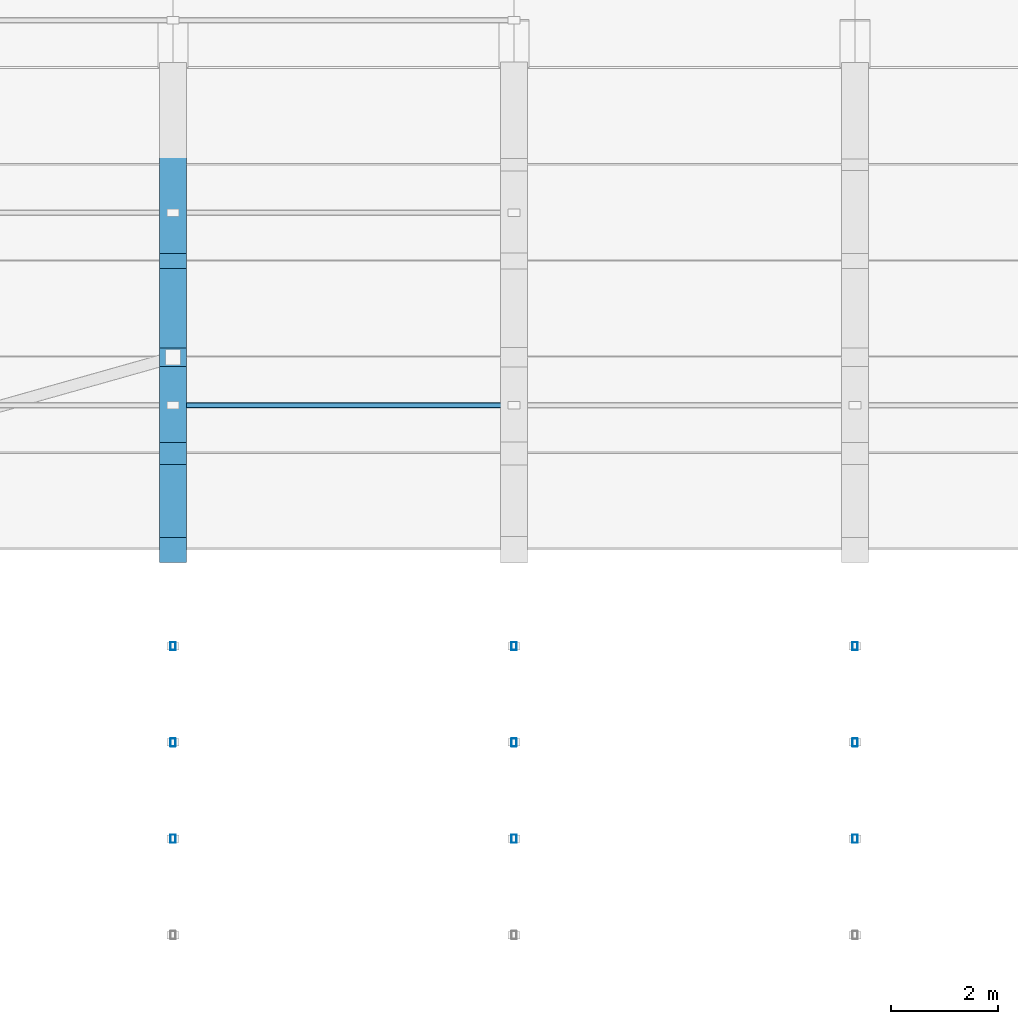
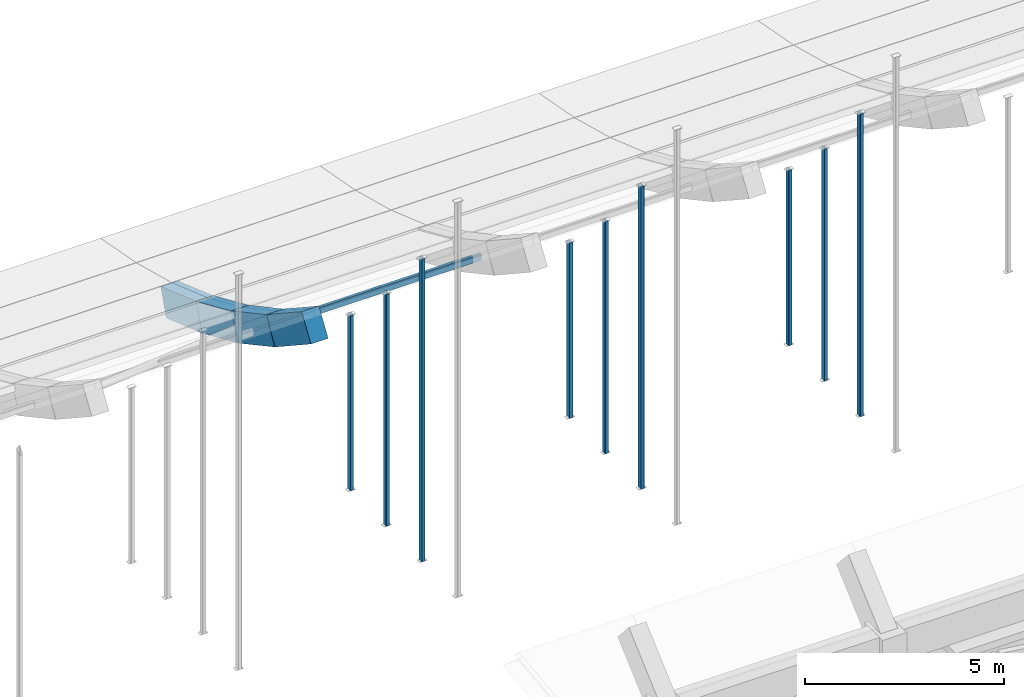
# One storey, part 29 of 77: 14 members.
"""IFC4 building model written with IfcOpenShell, lengths in metres."""

import ifcopenshell
import ifcopenshell.guid

model = None  # the IFC model being written
_history = None  # IfcOwnerHistory: only IFC2X3 demands one
_inside = {}  # id of a spatial element -> (the spatial element, [elements in it])
_under = {}  # id of a project, library or spatial element -> (it, [spatial elements below it])
_declared = {}  # id of a project -> (the project, [libraries it declares])
_typed = {}  # id of a type object -> (the type object, [elements of that type])
_made_of = {}  # id of a material, layer set ... -> (it, [elements and type objects made of it])


def new_model(schema):
    """Start an empty IFC model of exactly this schema.

    Asked for "IFC4X3", IfcOpenShell would pick the latest addendum, in which some entities
    have other attributes; the version numbers below select the first issue.
    IFC2X3 requires an IfcOwnerHistory on every rooted entity: one is made here for all.
    """
    global model, _history
    if schema == "IFC4X3":
        model = ifcopenshell.file(schema_version=(4, 3, 0, 0))
    else:
        model = ifcopenshell.file(schema=schema)
    _inside.clear()
    _under.clear()
    _declared.clear()
    _typed.clear()
    _made_of.clear()
    _history = None
    if model.schema == "IFC2X3":
        org = make("IfcOrganization", Name="unknown")
        user = make(
            "IfcPersonAndOrganization",
            ThePerson=make("IfcPerson", FamilyName="unknown"),
            TheOrganization=org,
        )
        app = make(
            "IfcApplication",
            ApplicationDeveloper=org,
            Version="unknown",
            ApplicationFullName="unknown",
            ApplicationIdentifier="unknown",
        )
        _history = make(
            "IfcOwnerHistory",
            OwningUser=user,
            OwningApplication=app,
            ChangeAction="ADDED",
            CreationDate=0,
        )
    return model


def make(cls, **values):
    """One entity of the class cls with the attributes given. An attribute that is None is left unset."""
    return model.create_entity(
        cls, **{name: value for name, value in values.items() if value is not None}
    )


def rooted(cls, **values):
    """An entity with a GlobalId (a new one), such as an element, a storey or a relation."""
    return make(cls, GlobalId=ifcopenshell.guid.new(), OwnerHistory=_history, **values)


def si_unit(unit_type, name, prefix=None):
    """IfcSIUnit, for example si_unit("LENGTHUNIT", "METRE", prefix="MILLI")."""
    return make("IfcSIUnit", UnitType=unit_type, Prefix=prefix, Name=name)


def assignment(units):
    """IfcUnitAssignment: the units of a project."""
    return None if units is None else make("IfcUnitAssignment", Units=units)


def point(xyz):
    """IfcCartesianPoint."""
    return None if xyz is None else make("IfcCartesianPoint", Coordinates=xyz)


def direction(xyz):
    """IfcDirection."""
    return None if xyz is None else make("IfcDirection", DirectionRatios=xyz)


def frame(location, z_axis=None, x_axis=None):
    """IfcAxis2Placement3D, a coordinate frame: its origin and axes. An axis left out is left unset."""
    return make(
        "IfcAxis2Placement3D",
        Location=point(location),
        Axis=direction(z_axis),
        RefDirection=direction(x_axis),
    )


def frame_2d(location, x_axis=None):
    """IfcAxis2Placement2D, a coordinate frame in the plane: its origin and x axis."""
    return make(
        "IfcAxis2Placement2D", Location=point(location), RefDirection=direction(x_axis)
    )


def origin():
    """The frame at (0, 0, 0) with its axes left unset."""
    return frame((0.0, 0.0, 0.0))


def origin_2d():
    """The frame at (0, 0) in the plane with its x axis left unset."""
    return frame_2d((0.0, 0.0))


def place(relative_to, where):
    """IfcLocalPlacement: puts the frame where relative to a parent placement (None: the world)."""
    return make(
        "IfcLocalPlacement", PlacementRelTo=relative_to, RelativePlacement=where
    )


def context(
    kind, dimensions, precision=None, world=None, true_north=None, identifier=None
):
    """IfcGeometricRepresentationContext, for example the 3D "Model" context."""
    return make(
        "IfcGeometricRepresentationContext",
        ContextIdentifier=identifier,
        ContextType=kind,
        CoordinateSpaceDimension=dimensions,
        Precision=precision,
        WorldCoordinateSystem=world,
        TrueNorth=true_north,
    )


def subcontext(parent, identifier, kind, view, scale=None):
    """IfcGeometricRepresentationSubContext, for example "Body" below "Model"."""
    return make(
        "IfcGeometricRepresentationSubContext",
        ContextIdentifier=identifier,
        ContextType=kind,
        ParentContext=parent,
        TargetScale=scale,
        TargetView=view,
    )


def project(units=None, contexts=None):
    """IfcProject with its units and contexts."""
    return rooted(
        "IfcProject",
        Name="project",
        RepresentationContexts=contexts,
        UnitsInContext=assignment(units),
    )


def spatial(cls, under=None, at=None, **own):
    """A site, building, storey or space (cls), placed at a placement, below another one or the project."""
    s = rooted(cls, ObjectPlacement=at, **own)
    if under is not None:
        _under.setdefault(under.id(), (under, []))[1].append(s)
    return s


def profile(cls, at=None, kind="AREA", **sizes):
    """A parametric profile (cls). Its sizes go by their IFC names, for example OverallWidth=200.0."""
    return make(cls, ProfileType=kind, Position=at, **sizes)


def rectangle(**sizes):
    """IfcRectangleProfileDef."""
    return profile("IfcRectangleProfileDef", **sizes)


def hollow_rectangle(**sizes):
    """IfcRectangleHollowProfileDef."""
    return profile("IfcRectangleHollowProfileDef", **sizes)


def extrude(swept, where, along, depth):
    """IfcExtrudedAreaSolid: the profile swept, set in the frame where, extruded along a direction by depth."""
    return make(
        "IfcExtrudedAreaSolid",
        SweptArea=swept,
        Position=where,
        ExtrudedDirection=direction(along),
        Depth=depth,
    )


def shape(context_of_items, identifier, shape_type, items):
    """IfcShapeRepresentation: the items that make up one representation, for example the "Body"."""
    return make(
        "IfcShapeRepresentation",
        ContextOfItems=context_of_items,
        RepresentationIdentifier=identifier,
        RepresentationType=shape_type,
        Items=items,
    )


def material(Name=None, Category=None):
    """IfcMaterial."""
    return make("IfcMaterial", Name=Name, Category=Category)


def material_profile(
    of_material, cross_section, Name=None, Category=None, Priority=None
):
    """IfcMaterialProfile: a cross section and its material."""
    return make(
        "IfcMaterialProfile",
        Name=Name,
        Material=of_material,
        Profile=cross_section,
        Priority=Priority,
        Category=Category,
    )


def profile_set(profiles, Name=None, composite=None):
    """IfcMaterialProfileSet."""
    return make(
        "IfcMaterialProfileSet",
        Name=Name,
        MaterialProfiles=profiles,
        CompositeProfile=composite,
    )


def made_of(thing, what):
    """Note that an element or type object is made of a material, layer set ...; save() writes the relation."""
    if what is not None:
        _made_of.setdefault(what.id(), (what, []))[1].append(thing)
    return thing


def type_object(cls, material=None, **own):
    """A type object (cls), such as IfcWallType, which elements share."""
    return made_of(rooted(cls, **own), material)


def element(
    cls,
    number,
    at=None,
    inside=None,
    cuts=None,
    type_object=None,
    material=None,
    context=None,
    identifier="Body",
    shape_type=None,
    held_by="IfcProductDefinitionShape",
    body=None,
    shapes=None,
    **own,
):
    """One element of the class cls, such as IfcWall. Its Tag is "e" and its number.

    at: its placement. inside: the storey or other place that contains it. cuts: it is an
    opening in that element (IfcRelVoidsElement). A single representation is given by context,
    identifier, shape_type and body (its items); several are given by shapes. held_by: the class
    of the entity that holds the representations. save() writes the other relations.
    """
    e = rooted(cls, Tag="e%d" % number, ObjectPlacement=at, **own)
    if body is not None:
        shapes = [shape(context, identifier, shape_type, body)]
    if shapes is not None:
        e.Representation = make(held_by, Representations=shapes)
    if inside is not None:
        _inside.setdefault(inside.id(), (inside, []))[1].append(e)
    if cuts is not None:
        rooted(
            "IfcRelVoidsElement", RelatingBuildingElement=cuts, RelatedOpeningElement=e
        )
    if type_object is not None:
        _typed.setdefault(type_object.id(), (type_object, []))[1].append(e)
    return made_of(e, material)


def aggregate(whole, parts):
    """IfcRelAggregates: a whole, such as a stair, and the parts it consists of."""
    return rooted("IfcRelAggregates", RelatingObject=whole, RelatedObjects=parts)


def save(model, path):
    """Write the relations noted so far, then the file.

    IfcRelAggregates (storeys below a building ...), IfcRelContainedInSpatialStructure (elements
    in a storey), IfcRelDefinesByType, IfcRelAssociatesMaterial and IfcRelDeclares: one each for
    every whole, place, type object, material and project.
    """
    for whole, parts in _under.values():
        aggregate(whole, parts)
    for where, things in _inside.values():
        rooted(
            "IfcRelContainedInSpatialStructure",
            RelatedElements=things,
            RelatingStructure=where,
        )
    for kind, things in _typed.values():
        rooted("IfcRelDefinesByType", RelatedObjects=things, RelatingType=kind)
    for what, things in _made_of.values():
        rooted("IfcRelAssociatesMaterial", RelatedObjects=things, RelatingMaterial=what)
    for by, libraries in _declared.values():
        rooted("IfcRelDeclares", RelatingContext=by, RelatedDefinitions=libraries)
    model.write(path)


model = new_model("IFC4")

# Units and contexts
model_context = context("Model", 3, precision=1e-05, world=origin(), true_north=direction((0.0, 1.0)))
body_context = subcontext(model_context, "Body", "Model", "MODEL_VIEW")
ifc_project = project(units=[si_unit("LENGTHUNIT", "METRE"), si_unit("AREAUNIT", "SQUARE_METRE"), si_unit("VOLUMEUNIT", "CUBIC_METRE"), si_unit("PLANEANGLEUNIT", "RADIAN"), si_unit("MASSUNIT", "GRAM", prefix="KILO")], contexts=[model_context])

# Site, building, storey
site_placement = place(None, origin())
site = spatial("IfcSite", under=ifc_project, at=site_placement, CompositionType="ELEMENT")
building_placement = place(site_placement, origin())
building = spatial("IfcBuilding", under=site, at=building_placement, Name="Trellovar Central Fire Station", CompositionType="ELEMENT")
storey_placement = place(building_placement, frame((0.0, 0.0, 5.85009765625)))
storey = spatial("IfcBuildingStorey", under=building, at=storey_placement, Name="L02", CompositionType="ELEMENT", Elevation=5.85009765625)

# Members
ifc_material_1 = material(Name="Concrete C40/50", Category="concrete")
ifc_material_profile_1 = material_profile(ifc_material_1, rectangle(XDim=0.5, YDim=0.85009765625, at=origin_2d()), Name="RC500X850")
ifc_profile_set_1 = profile_set([ifc_material_profile_1], Name="Concrete C40/50")
member_type_1 = type_object("IfcMemberType", Name="MEM-AR2", PredefinedType="CHORD", material=ifc_profile_set_1)
member_1_placement = place(storey_placement, frame((66.75, 31.6533203125, 3.73974609375), z_axis=(0.0, 0.835516018722, -0.549466088544), x_axis=(-1.0, 0.0, 0.0)))
element("IfcMember", 1, at=member_1_placement, inside=storey, type_object=member_type_1, Name="Parabolic arch rib AR-06 chord 11", PredefinedType="CHORD", context=body_context, shape_type="SweptSolid", body=[
    extrude(rectangle(XDim=0.5, YDim=0.85009765625, at=origin_2d()), origin(), (0.0, 0.0, 1.0), 2.146484375),
])
member_2_placement = place(storey_placement, frame((66.75, 33.44677734375, 2.560302734375), z_axis=(0.0, 0.879319122317, -0.476233011379), x_axis=(-1.0, 0.0, 0.0)))
element("IfcMember", 2, at=member_2_placement, inside=storey, type_object=member_type_1, Name="Parabolic arch rib AR-06 chord 12", PredefinedType="CHORD", context=body_context, shape_type="SweptSolid", body=[
    extrude(rectangle(XDim=0.5, YDim=0.85009765625, at=origin_2d()), origin(), (0.0, 0.0, 1.0), 2.039306640625),
])
member_3_placement = place(storey_placement, frame((66.75, 35.239990234375, 1.589111328125), z_axis=(0.0, 0.915259901496, -0.402863888569), x_axis=(-1.0, 0.0, 0.0)))
element("IfcMember", 3, at=member_3_placement, inside=storey, type_object=member_type_1, Name="Parabolic arch rib AR-06 chord 13", PredefinedType="CHORD", context=body_context, shape_type="SweptSolid", body=[
    extrude(rectangle(XDim=0.5, YDim=0.85009765625, at=origin_2d()), origin(), (0.0, 0.0, 1.0), 1.959228515625),
])
member_4_placement = place(storey_placement, frame((66.75, 37.033203125, 0.7998046875), z_axis=(0.0, 0.94410254219, -0.329651922232), x_axis=(-1.0, 0.0, 0.0)))
element("IfcMember", 4, at=member_4_placement, inside=storey, type_object=member_type_1, Name="Parabolic arch rib AR-06 chord 14", PredefinedType="CHORD", context=body_context, shape_type="SweptSolid", body=[
    extrude(rectangle(XDim=0.5, YDim=0.85009765625, at=origin_2d()), origin(), (0.0, 0.0, 1.0), 1.899658203125),
])
ifc_material_2 = material(Name="Steel ASTM A500 Grade C", Category="steel")
ifc_material_profile_2 = material_profile(ifc_material_2, hollow_rectangle(XDim=0.1015625, YDim=0.203125, WallThickness=0.0087890625, InnerFilletRadius=0.0087890625, OuterFilletRadius=0.017822265625, at=origin_2d()), Name="HSS8X4X3/8")
ifc_profile_set_2 = profile_set([ifc_material_profile_2], Name="Steel ASTM A500 Grade C")
member_type_2 = type_object("IfcMemberType", Name="MEM-PU1", PredefinedType="PURLIN", material=ifc_profile_set_2)
member_5_placement = place(storey_placement, frame((66.75, 34.343505859375, 1.98486328125), z_axis=(1.0, 0.0, 0.0), x_axis=(0.0, 1.0, 0.0)))
element("IfcMember", 5, at=member_5_placement, inside=storey, type_object=member_type_2, Name="Vault purlin V1-06-12", PredefinedType="PURLIN", context=body_context, shape_type="SweptSolid", body=[
    extrude(hollow_rectangle(XDim=0.1015625, YDim=0.203125, WallThickness=0.0087890625, InnerFilletRadius=0.0087890625, OuterFilletRadius=0.017822265625, at=origin_2d()), origin(), (0.0, 0.0, 1.0), 6.35009765625),
])
ifc_material_3 = material(Name="Steel ASTM A500 Grade C", Category="steel")
ifc_material_profile_3 = material_profile(ifc_material_3, hollow_rectangle(XDim=0.1015625, YDim=0.15234375, WallThickness=0.005859375, InnerFilletRadius=0.005859375, OuterFilletRadius=0.01171875, at=origin_2d()), Name="HSS6X4X1/4")
ifc_profile_set_3 = profile_set([ifc_material_profile_3], Name="Steel ASTM A500 Grade C")
member_type_3 = type_object("IfcMemberType", Name="MEM-ST2", PredefinedType="STRUT", material=ifc_profile_set_3)
member_6_placement = place(storey_placement, frame((66.75, 26.273193359375, -0.2001953125), z_axis=(0.0, 0.0, 1.0), x_axis=(1.0, 0.0, 0.0)))
element("IfcMember", 6, at=member_6_placement, inside=storey, type_object=member_type_3, Name="V1 tied-arch web post 06 Y=26.3", PredefinedType="STRUT", context=body_context, shape_type="SweptSolid", body=[
    extrude(hollow_rectangle(XDim=0.1015625, YDim=0.15234375, WallThickness=0.005859375, InnerFilletRadius=0.005859375, OuterFilletRadius=0.01171875, at=origin_2d()), origin(), (0.0, 0.0, 1.0), 9.2705078125),
])
member_7_placement = place(storey_placement, frame((66.75, 28.066650390625, -0.2001953125), z_axis=(0.0, 0.0, 1.0), x_axis=(1.0, 0.0, 0.0)))
element("IfcMember", 7, at=member_7_placement, inside=storey, type_object=member_type_3, Name="V1 tied-arch web post 06 Y=28.1", PredefinedType="STRUT", context=body_context, shape_type="SweptSolid", body=[
    extrude(hollow_rectangle(XDim=0.1015625, YDim=0.15234375, WallThickness=0.005859375, InnerFilletRadius=0.005859375, OuterFilletRadius=0.01171875, at=origin_2d()), origin(), (0.0, 0.0, 1.0), 7.107421875),
])
member_8_placement = place(storey_placement, frame((66.75, 29.860107421875, -0.2001953125), z_axis=(0.0, 0.0, 1.0), x_axis=(1.0, 0.0, 0.0)))
element("IfcMember", 8, at=member_8_placement, inside=storey, type_object=member_type_3, Name="V1 tied-arch web post 06 Y=29.9", PredefinedType="STRUT", context=body_context, shape_type="SweptSolid", body=[
    extrude(hollow_rectangle(XDim=0.1015625, YDim=0.15234375, WallThickness=0.005859375, InnerFilletRadius=0.005859375, OuterFilletRadius=0.01171875, at=origin_2d()), origin(), (0.0, 0.0, 1.0), 5.36767578125),
])
member_9_placement = place(storey_placement, frame((73.10009765625, 26.273193359375, -0.2001953125), z_axis=(0.0, 0.0, 1.0), x_axis=(1.0, 0.0, 0.0)))
element("IfcMember", 9, at=member_9_placement, inside=storey, type_object=member_type_3, Name="V1 tied-arch web post 07 Y=26.3", PredefinedType="STRUT", context=body_context, shape_type="SweptSolid", body=[
    extrude(hollow_rectangle(XDim=0.1015625, YDim=0.15234375, WallThickness=0.005859375, InnerFilletRadius=0.005859375, OuterFilletRadius=0.01171875, at=origin_2d()), origin(), (0.0, 0.0, 1.0), 9.2705078125),
])
member_10_placement = place(storey_placement, frame((73.10009765625, 28.066650390625, -0.2001953125), z_axis=(0.0, 0.0, 1.0), x_axis=(1.0, 0.0, 0.0)))
element("IfcMember", 10, at=member_10_placement, inside=storey, type_object=member_type_3, Name="V1 tied-arch web post 07 Y=28.1", PredefinedType="STRUT", context=body_context, shape_type="SweptSolid", body=[
    extrude(hollow_rectangle(XDim=0.1015625, YDim=0.15234375, WallThickness=0.005859375, InnerFilletRadius=0.005859375, OuterFilletRadius=0.01171875, at=origin_2d()), origin(), (0.0, 0.0, 1.0), 7.107421875),
])
member_11_placement = place(storey_placement, frame((73.10009765625, 29.860107421875, -0.2001953125), z_axis=(0.0, 0.0, 1.0), x_axis=(1.0, 0.0, 0.0)))
element("IfcMember", 11, at=member_11_placement, inside=storey, type_object=member_type_3, Name="V1 tied-arch web post 07 Y=29.9", PredefinedType="STRUT", context=body_context, shape_type="SweptSolid", body=[
    extrude(hollow_rectangle(XDim=0.1015625, YDim=0.15234375, WallThickness=0.005859375, InnerFilletRadius=0.005859375, OuterFilletRadius=0.01171875, at=origin_2d()), origin(), (0.0, 0.0, 1.0), 5.36767578125),
])
member_12_placement = place(storey_placement, frame((79.449951171875, 26.273193359375, -0.2001953125), z_axis=(0.0, 0.0, 1.0), x_axis=(1.0, 0.0, 0.0)))
element("IfcMember", 12, at=member_12_placement, inside=storey, type_object=member_type_3, Name="V1 tied-arch web post 08 Y=26.3", PredefinedType="STRUT", context=body_context, shape_type="SweptSolid", body=[
    extrude(hollow_rectangle(XDim=0.1015625, YDim=0.15234375, WallThickness=0.005859375, InnerFilletRadius=0.005859375, OuterFilletRadius=0.01171875, at=origin_2d()), origin(), (0.0, 0.0, 1.0), 9.2705078125),
])
member_13_placement = place(storey_placement, frame((79.449951171875, 28.066650390625, -0.2001953125), z_axis=(0.0, 0.0, 1.0), x_axis=(1.0, 0.0, 0.0)))
element("IfcMember", 13, at=member_13_placement, inside=storey, type_object=member_type_3, Name="V1 tied-arch web post 08 Y=28.1", PredefinedType="STRUT", context=body_context, shape_type="SweptSolid", body=[
    extrude(hollow_rectangle(XDim=0.1015625, YDim=0.15234375, WallThickness=0.005859375, InnerFilletRadius=0.005859375, OuterFilletRadius=0.01171875, at=origin_2d()), origin(), (0.0, 0.0, 1.0), 7.107421875),
])
member_14_placement = place(storey_placement, frame((79.449951171875, 29.860107421875, -0.2001953125), z_axis=(0.0, 0.0, 1.0), x_axis=(1.0, 0.0, 0.0)))
element("IfcMember", 14, at=member_14_placement, inside=storey, type_object=member_type_3, Name="V1 tied-arch web post 08 Y=29.9", PredefinedType="STRUT", context=body_context, shape_type="SweptSolid", body=[
    extrude(hollow_rectangle(XDim=0.1015625, YDim=0.15234375, WallThickness=0.005859375, InnerFilletRadius=0.005859375, OuterFilletRadius=0.01171875, at=origin_2d()), origin(), (0.0, 0.0, 1.0), 5.36767578125),
])

save(model, "model.ifc")
